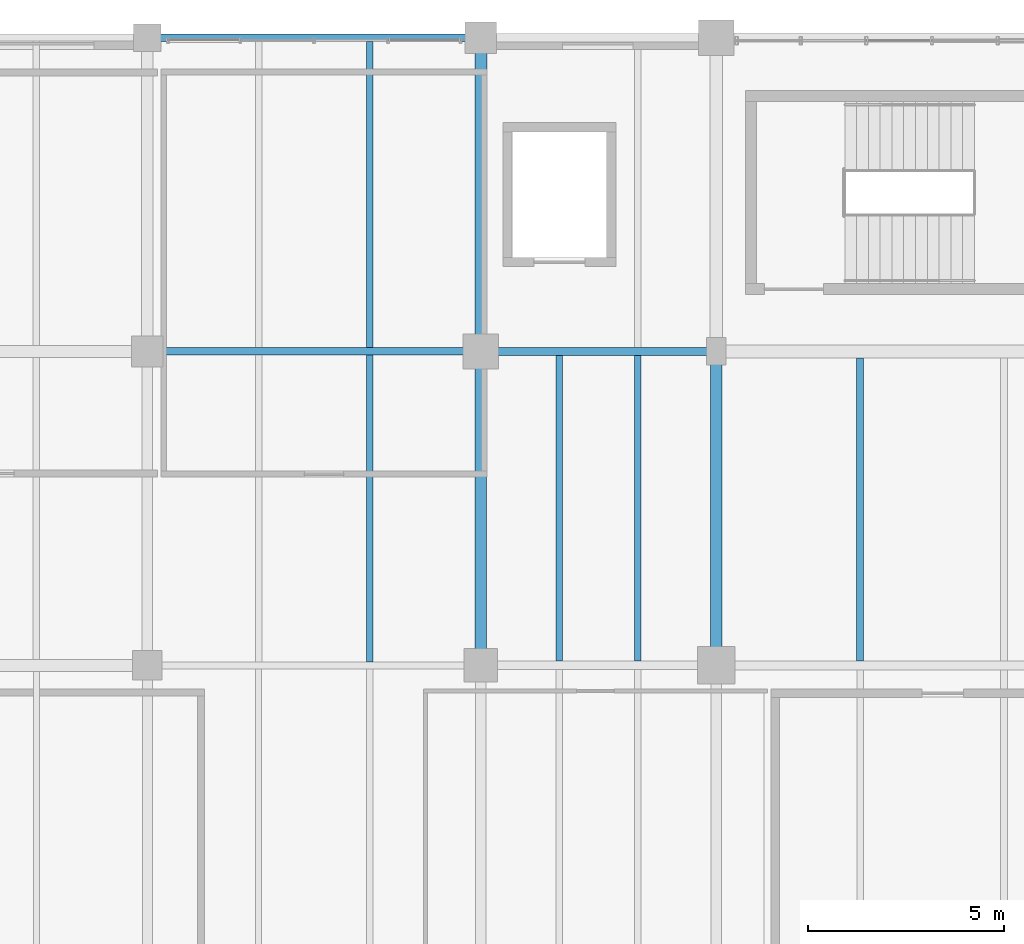
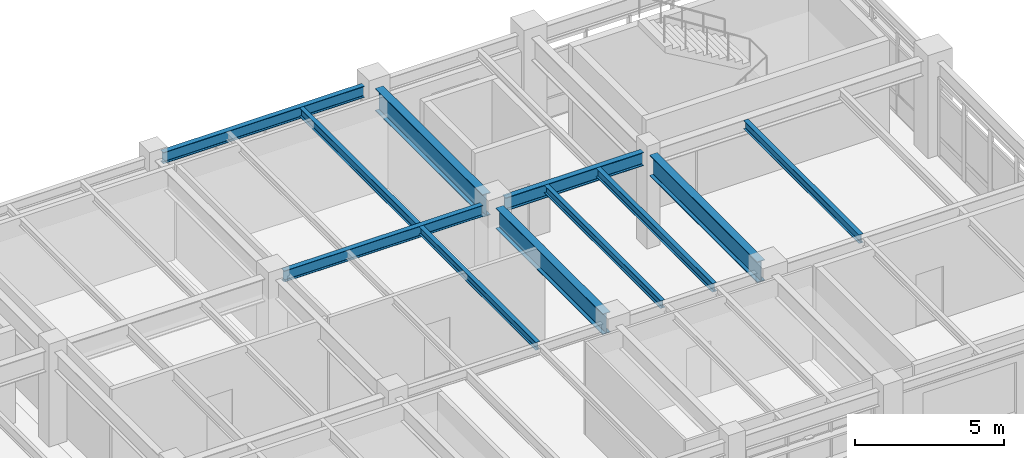
# One storey, part 37 of 56: 11 beams.
"""IFC4 building model written with IfcOpenShell, lengths in metres."""

import ifcopenshell
import ifcopenshell.guid

model = None  # the IFC model being written
_history = None  # IfcOwnerHistory: only IFC2X3 demands one
_inside = {}  # id of a spatial element -> (the spatial element, [elements in it])
_under = {}  # id of a project, library or spatial element -> (it, [spatial elements below it])
_declared = {}  # id of a project -> (the project, [libraries it declares])
_typed = {}  # id of a type object -> (the type object, [elements of that type])
_made_of = {}  # id of a material, layer set ... -> (it, [elements and type objects made of it])


def new_model(schema):
    """Start an empty IFC model of exactly this schema.

    Asked for "IFC4X3", IfcOpenShell would pick the latest addendum, in which some entities
    have other attributes; the version numbers below select the first issue.
    IFC2X3 requires an IfcOwnerHistory on every rooted entity: one is made here for all.
    """
    global model, _history
    if schema == "IFC4X3":
        model = ifcopenshell.file(schema_version=(4, 3, 0, 0))
    else:
        model = ifcopenshell.file(schema=schema)
    _inside.clear()
    _under.clear()
    _declared.clear()
    _typed.clear()
    _made_of.clear()
    _history = None
    if model.schema == "IFC2X3":
        org = make("IfcOrganization", Name="unknown")
        user = make(
            "IfcPersonAndOrganization",
            ThePerson=make("IfcPerson", FamilyName="unknown"),
            TheOrganization=org,
        )
        app = make(
            "IfcApplication",
            ApplicationDeveloper=org,
            Version="unknown",
            ApplicationFullName="unknown",
            ApplicationIdentifier="unknown",
        )
        _history = make(
            "IfcOwnerHistory",
            OwningUser=user,
            OwningApplication=app,
            ChangeAction="ADDED",
            CreationDate=0,
        )
    return model


def make(cls, **values):
    """One entity of the class cls with the attributes given. An attribute that is None is left unset."""
    return model.create_entity(
        cls, **{name: value for name, value in values.items() if value is not None}
    )


def rooted(cls, **values):
    """An entity with a GlobalId (a new one), such as an element, a storey or a relation."""
    return make(cls, GlobalId=ifcopenshell.guid.new(), OwnerHistory=_history, **values)


def si_unit(unit_type, name, prefix=None):
    """IfcSIUnit, for example si_unit("LENGTHUNIT", "METRE", prefix="MILLI")."""
    return make("IfcSIUnit", UnitType=unit_type, Prefix=prefix, Name=name)


def assignment(units):
    """IfcUnitAssignment: the units of a project."""
    return None if units is None else make("IfcUnitAssignment", Units=units)


def point(xyz):
    """IfcCartesianPoint."""
    return None if xyz is None else make("IfcCartesianPoint", Coordinates=xyz)


def direction(xyz):
    """IfcDirection."""
    return None if xyz is None else make("IfcDirection", DirectionRatios=xyz)


def frame(location, z_axis=None, x_axis=None):
    """IfcAxis2Placement3D, a coordinate frame: its origin and axes. An axis left out is left unset."""
    return make(
        "IfcAxis2Placement3D",
        Location=point(location),
        Axis=direction(z_axis),
        RefDirection=direction(x_axis),
    )


def frame_2d(location, x_axis=None):
    """IfcAxis2Placement2D, a coordinate frame in the plane: its origin and x axis."""
    return make(
        "IfcAxis2Placement2D", Location=point(location), RefDirection=direction(x_axis)
    )


def origin():
    """The frame at (0, 0, 0) with its axes left unset."""
    return frame((0.0, 0.0, 0.0))


def origin_2d():
    """The frame at (0, 0) in the plane with its x axis left unset."""
    return frame_2d((0.0, 0.0))


def place(relative_to, where):
    """IfcLocalPlacement: puts the frame where relative to a parent placement (None: the world)."""
    return make(
        "IfcLocalPlacement", PlacementRelTo=relative_to, RelativePlacement=where
    )


def context(
    kind, dimensions, precision=None, world=None, true_north=None, identifier=None
):
    """IfcGeometricRepresentationContext, for example the 3D "Model" context."""
    return make(
        "IfcGeometricRepresentationContext",
        ContextIdentifier=identifier,
        ContextType=kind,
        CoordinateSpaceDimension=dimensions,
        Precision=precision,
        WorldCoordinateSystem=world,
        TrueNorth=true_north,
    )


def subcontext(parent, identifier, kind, view, scale=None):
    """IfcGeometricRepresentationSubContext, for example "Body" below "Model"."""
    return make(
        "IfcGeometricRepresentationSubContext",
        ContextIdentifier=identifier,
        ContextType=kind,
        ParentContext=parent,
        TargetScale=scale,
        TargetView=view,
    )


def project(units=None, contexts=None):
    """IfcProject with its units and contexts."""
    return rooted(
        "IfcProject",
        Name="project",
        RepresentationContexts=contexts,
        UnitsInContext=assignment(units),
    )


def spatial(cls, under=None, at=None, **own):
    """A site, building, storey or space (cls), placed at a placement, below another one or the project."""
    s = rooted(cls, ObjectPlacement=at, **own)
    if under is not None:
        _under.setdefault(under.id(), (under, []))[1].append(s)
    return s


def profile(cls, at=None, kind="AREA", **sizes):
    """A parametric profile (cls). Its sizes go by their IFC names, for example OverallWidth=200.0."""
    return make(cls, ProfileType=kind, Position=at, **sizes)


def i_section(**sizes):
    """IfcIShapeProfileDef."""
    return profile("IfcIShapeProfileDef", **sizes)


def extrude(swept, where, along, depth):
    """IfcExtrudedAreaSolid: the profile swept, set in the frame where, extruded along a direction by depth."""
    return make(
        "IfcExtrudedAreaSolid",
        SweptArea=swept,
        Position=where,
        ExtrudedDirection=direction(along),
        Depth=depth,
    )


def shape(context_of_items, identifier, shape_type, items):
    """IfcShapeRepresentation: the items that make up one representation, for example the "Body"."""
    return make(
        "IfcShapeRepresentation",
        ContextOfItems=context_of_items,
        RepresentationIdentifier=identifier,
        RepresentationType=shape_type,
        Items=items,
    )


def material(Name=None, Category=None):
    """IfcMaterial."""
    return make("IfcMaterial", Name=Name, Category=Category)


def material_profile(
    of_material, cross_section, Name=None, Category=None, Priority=None
):
    """IfcMaterialProfile: a cross section and its material."""
    return make(
        "IfcMaterialProfile",
        Name=Name,
        Material=of_material,
        Profile=cross_section,
        Priority=Priority,
        Category=Category,
    )


def profile_set(profiles, Name=None, composite=None):
    """IfcMaterialProfileSet."""
    return make(
        "IfcMaterialProfileSet",
        Name=Name,
        MaterialProfiles=profiles,
        CompositeProfile=composite,
    )


def made_of(thing, what):
    """Note that an element or type object is made of a material, layer set ...; save() writes the relation."""
    if what is not None:
        _made_of.setdefault(what.id(), (what, []))[1].append(thing)
    return thing


def type_object(cls, material=None, **own):
    """A type object (cls), such as IfcWallType, which elements share."""
    return made_of(rooted(cls, **own), material)


def element(
    cls,
    number,
    at=None,
    inside=None,
    cuts=None,
    type_object=None,
    material=None,
    context=None,
    identifier="Body",
    shape_type=None,
    held_by="IfcProductDefinitionShape",
    body=None,
    shapes=None,
    **own,
):
    """One element of the class cls, such as IfcWall. Its Tag is "e" and its number.

    at: its placement. inside: the storey or other place that contains it. cuts: it is an
    opening in that element (IfcRelVoidsElement). A single representation is given by context,
    identifier, shape_type and body (its items); several are given by shapes. held_by: the class
    of the entity that holds the representations. save() writes the other relations.
    """
    e = rooted(cls, Tag="e%d" % number, ObjectPlacement=at, **own)
    if body is not None:
        shapes = [shape(context, identifier, shape_type, body)]
    if shapes is not None:
        e.Representation = make(held_by, Representations=shapes)
    if inside is not None:
        _inside.setdefault(inside.id(), (inside, []))[1].append(e)
    if cuts is not None:
        rooted(
            "IfcRelVoidsElement", RelatingBuildingElement=cuts, RelatedOpeningElement=e
        )
    if type_object is not None:
        _typed.setdefault(type_object.id(), (type_object, []))[1].append(e)
    return made_of(e, material)


def aggregate(whole, parts):
    """IfcRelAggregates: a whole, such as a stair, and the parts it consists of."""
    return rooted("IfcRelAggregates", RelatingObject=whole, RelatedObjects=parts)


def save(model, path):
    """Write the relations noted so far, then the file.

    IfcRelAggregates (storeys below a building ...), IfcRelContainedInSpatialStructure (elements
    in a storey), IfcRelDefinesByType, IfcRelAssociatesMaterial and IfcRelDeclares: one each for
    every whole, place, type object, material and project.
    """
    for whole, parts in _under.values():
        aggregate(whole, parts)
    for where, things in _inside.values():
        rooted(
            "IfcRelContainedInSpatialStructure",
            RelatedElements=things,
            RelatingStructure=where,
        )
    for kind, things in _typed.values():
        rooted("IfcRelDefinesByType", RelatedObjects=things, RelatingType=kind)
    for what, things in _made_of.values():
        rooted("IfcRelAssociatesMaterial", RelatedObjects=things, RelatingMaterial=what)
    for by, libraries in _declared.values():
        rooted("IfcRelDeclares", RelatingContext=by, RelatedDefinitions=libraries)
    model.write(path)


model = new_model("IFC4")

# Units and contexts
model_context = context("Model", 3, precision=1e-05, world=origin(), true_north=direction((0.0, 1.0)))
body_context = subcontext(model_context, "Body", "Model", "MODEL_VIEW")
ifc_project = project(units=[si_unit("LENGTHUNIT", "METRE"), si_unit("AREAUNIT", "SQUARE_METRE"), si_unit("VOLUMEUNIT", "CUBIC_METRE"), si_unit("PLANEANGLEUNIT", "RADIAN"), si_unit("MASSUNIT", "GRAM", prefix="KILO"), si_unit("THERMODYNAMICTEMPERATUREUNIT", "KELVIN"), si_unit("POWERUNIT", "WATT")], contexts=[model_context])

# Site, building, storey
site_placement = place(None, origin())
site = spatial("IfcSite", under=ifc_project, at=site_placement, CompositionType="ELEMENT")
building_placement = place(site_placement, origin())
building = spatial("IfcBuilding", under=site, at=building_placement, Name="Tepalcoro Natatorium and Aquatics Centre", CompositionType="ELEMENT")
storey_placement = place(building_placement, frame((0.0, 0.0, 14.800048828125)))
storey = spatial("IfcBuildingStorey", under=building, at=storey_placement, Name="L03", CompositionType="ELEMENT", Elevation=14.800048828125)

# Beams
ifc_material = material(Name="Steel ASTM A992 Grade 50 (Fy 345 MPa)", Category="steel")
ifc_material_profile_1 = material_profile(ifc_material, i_section(OverallWidth=0.19091796875, OverallDepth=0.45703125, WebThickness=0.009033203125, FlangeThickness=0.013916015625, FilletRadius=0.013916015625, at=origin_2d()), Name="W18X50")
ifc_profile_set_1 = profile_set([ifc_material_profile_1], Name="Steel ASTM A992 Grade 50 (Fy 345 MPa)")
beam_type_1 = type_object("IfcBeamType", Name="BM_W18x50", PredefinedType="BEAM", material=ifc_profile_set_1)
beam_1_placement = place(storey_placement, frame((150.885009765625, 110.0, 3.576416015625), z_axis=(1.0, 0.0, 0.0), x_axis=(0.0, 1.0, 0.0)))
element("IfcBeam", 1, at=beam_1_placement, inside=storey, type_object=beam_type_1, Name="V5 L03 Grid Girder X", PredefinedType="BEAM", context=body_context, shape_type="SweptSolid", body=[
    extrude(i_section(OverallWidth=0.19091796875, OverallDepth=0.45703125, WebThickness=0.009033203125, FlangeThickness=0.013916015625, FilletRadius=0.013916015625, at=origin_2d()), origin(), (0.0, 0.0, 1.0), 7.679931640625),
])
ifc_material_profile_2 = material_profile(ifc_material, i_section(OverallWidth=0.2119140625, OverallDepth=0.5439453125, WebThickness=0.012939453125, FlangeThickness=0.02099609375, FilletRadius=0.013916015625, at=origin_2d()), Name="W21X83")
ifc_profile_set_2 = profile_set([ifc_material_profile_2], Name="Steel ASTM A992 Grade 50 (Fy 345 MPa)")
beam_type_2 = type_object("IfcBeamType", Name="BM_W21x83", PredefinedType="BEAM", material=ifc_profile_set_2)
beam_2_placement = place(storey_placement, frame((159.43505859375, 110.0, 3.532958984375), z_axis=(1.0, 0.0, 0.0), x_axis=(0.0, 1.0, 0.0)))
element("IfcBeam", 2, at=beam_2_placement, inside=storey, type_object=beam_type_2, Name="V5 L03 Grid Girder X", PredefinedType="BEAM", context=body_context, shape_type="SweptSolid", body=[
    extrude(i_section(OverallWidth=0.2119140625, OverallDepth=0.5439453125, WebThickness=0.012939453125, FlangeThickness=0.02099609375, FilletRadius=0.013916015625, at=origin_2d()), origin(), (0.0, 0.0, 1.0), 5.329833984375),
])
ifc_material_profile_3 = material_profile(ifc_material, i_section(OverallWidth=0.2919921875, OverallDepth=0.845947265625, WebThickness=0.014892578125, FlangeThickness=0.02392578125, FilletRadius=0.013916015625, at=origin_2d()), Name="W33X141")
ifc_profile_set_3 = profile_set([ifc_material_profile_3], Name="Steel ASTM A992 Grade 50 (Fy 345 MPa)")
beam_type_3 = type_object("IfcBeamType", Name="BM_W33x141", PredefinedType="BEAM", material=ifc_profile_set_3)
beam_3_placement = place(storey_placement, frame((159.0, 102.409912109375, 3.3818359375), z_axis=(0.0, 1.0, 0.0), x_axis=(-1.0, 0.0, 0.0)))
element("IfcBeam", 3, at=beam_3_placement, inside=storey, type_object=beam_type_3, Name="V5 L03 Grid Girder Y", PredefinedType="BEAM", context=body_context, shape_type="SweptSolid", body=[
    extrude(i_section(OverallWidth=0.2919921875, OverallDepth=0.845947265625, WebThickness=0.014892578125, FlangeThickness=0.02392578125, FilletRadius=0.013916015625, at=origin_2d()), origin(), (0.0, 0.0, 1.0), 7.155029296875),
])
ifc_material_profile_4 = material_profile(ifc_material, i_section(OverallWidth=0.2919921875, OverallDepth=0.85888671875, WebThickness=0.01708984375, FlangeThickness=0.031005859375, FilletRadius=0.013916015625, at=origin_2d()), Name="W33X169")
ifc_profile_set_4 = profile_set([ifc_material_profile_4], Name="Steel ASTM A992 Grade 50 (Fy 345 MPa)")
beam_type_4 = type_object("IfcBeamType", Name="BM_W33x169", PredefinedType="BEAM", material=ifc_profile_set_4)
beam_4_placement = place(storey_placement, frame((165.0, 102.4599609375, 3.37548828125), z_axis=(0.0, 1.0, 0.0), x_axis=(-1.0, 0.0, 0.0)))
element("IfcBeam", 4, at=beam_4_placement, inside=storey, type_object=beam_type_4, Name="V5 L03 Grid Girder Y", PredefinedType="BEAM", context=body_context, shape_type="SweptSolid", body=[
    extrude(i_section(OverallWidth=0.2919921875, OverallDepth=0.85888671875, WebThickness=0.01708984375, FlangeThickness=0.031005859375, FilletRadius=0.013916015625, at=origin_2d()), origin(), (0.0, 0.0, 1.0), 7.205078125),
])
ifc_material_profile_5 = material_profile(ifc_material, i_section(OverallWidth=0.304931640625, OverallDepth=0.9189453125, WebThickness=0.01708984375, FlangeThickness=0.028076171875, FilletRadius=0.013916015625, at=origin_2d()), Name="W36X170")
ifc_profile_set_5 = profile_set([ifc_material_profile_5], Name="Steel ASTM A992 Grade 50 (Fy 345 MPa)")
beam_type_5 = type_object("IfcBeamType", Name="BM_W36x170", PredefinedType="BEAM", material=ifc_profile_set_5)
beam_5_placement = place(storey_placement, frame((159.0, 110.43505859375, 3.345458984375), z_axis=(0.0, 1.0, 0.0), x_axis=(-1.0, 0.0, 0.0)))
element("IfcBeam", 5, at=beam_5_placement, inside=storey, type_object=beam_type_5, Name="V5 L03 Grid Girder Y", PredefinedType="BEAM", context=body_context, shape_type="SweptSolid", body=[
    extrude(i_section(OverallWidth=0.304931640625, OverallDepth=0.9189453125, WebThickness=0.01708984375, FlangeThickness=0.028076171875, FilletRadius=0.013916015625, at=origin_2d()), origin(), (0.0, 0.0, 1.0), 7.179931640625),
])
ifc_material_profile_6 = material_profile(ifc_material, i_section(OverallWidth=0.1669921875, OverallDepth=0.318115234375, WebThickness=0.008056640625, FlangeThickness=0.012939453125, FilletRadius=0.013916015625, at=origin_2d()), Name="W12X35")
ifc_profile_set_6 = profile_set([ifc_material_profile_6], Name="Steel ASTM A992 Grade 50 (Fy 345 MPa)")
beam_type_6 = type_object("IfcBeamType", Name="JS_W12x35", PredefinedType="JOIST", material=ifc_profile_set_6)
beam_6_placement = place(storey_placement, frame((156.166748046875, 102.089111328125, 3.64599609375), z_axis=(0.0, 1.0, 0.0), x_axis=(-1.0, 0.0, 0.0)))
element("IfcBeam", 6, at=beam_6_placement, inside=storey, type_object=beam_type_6, Name="V5 L03 Floor Joist", PredefinedType="JOIST", context=body_context, shape_type="SweptSolid", body=[
    extrude(i_section(OverallWidth=0.1669921875, OverallDepth=0.318115234375, WebThickness=0.008056640625, FlangeThickness=0.012939453125, FilletRadius=0.013916015625, at=origin_2d()), origin(), (0.0, 0.0, 1.0), 7.8154296875),
])
beam_7_placement = place(storey_placement, frame((161.0, 102.10498046875, 3.64599609375), z_axis=(0.0, 1.0, 0.0), x_axis=(-1.0, 0.0, 0.0)))
element("IfcBeam", 7, at=beam_7_placement, inside=storey, type_object=beam_type_6, Name="V5 L03 Floor Joist", PredefinedType="JOIST", context=body_context, shape_type="SweptSolid", body=[
    extrude(i_section(OverallWidth=0.1669921875, OverallDepth=0.318115234375, WebThickness=0.008056640625, FlangeThickness=0.012939453125, FilletRadius=0.013916015625, at=origin_2d()), origin(), (0.0, 0.0, 1.0), 7.7890625),
])
ifc_material_profile_7 = material_profile(ifc_material, i_section(OverallWidth=0.1708984375, OverallDepth=0.35107421875, WebThickness=0.007080078125, FlangeThickness=0.010009765625, FilletRadius=0.013916015625, at=origin_2d()), Name="W14X30")
ifc_profile_set_7 = profile_set([ifc_material_profile_7], Name="Steel ASTM A992 Grade 50 (Fy 345 MPa)")
beam_type_7 = type_object("IfcBeamType", Name="JS_W14x30", PredefinedType="JOIST", material=ifc_profile_set_7)
beam_8_placement = place(storey_placement, frame((156.166748046875, 110.095458984375, 3.62939453125), z_axis=(0.0, 1.0, 0.0), x_axis=(-1.0, 0.0, 0.0)))
element("IfcBeam", 8, at=beam_8_placement, inside=storey, type_object=beam_type_7, Name="V5 L03 Floor Joist", PredefinedType="JOIST", context=body_context, shape_type="SweptSolid", body=[
    extrude(i_section(OverallWidth=0.1708984375, OverallDepth=0.35107421875, WebThickness=0.007080078125, FlangeThickness=0.010009765625, FilletRadius=0.013916015625, at=origin_2d()), origin(), (0.0, 0.0, 1.0), 7.80908203125),
])
beam_9_placement = place(storey_placement, frame((163.0, 102.10498046875, 3.62939453125), z_axis=(0.0, 1.0, 0.0), x_axis=(-1.0, 0.0, 0.0)))
element("IfcBeam", 9, at=beam_9_placement, inside=storey, type_object=beam_type_7, Name="V5 L03 Floor Joist", PredefinedType="JOIST", context=body_context, shape_type="SweptSolid", body=[
    extrude(i_section(OverallWidth=0.1708984375, OverallDepth=0.35107421875, WebThickness=0.007080078125, FlangeThickness=0.010009765625, FilletRadius=0.013916015625, at=origin_2d()), origin(), (0.0, 0.0, 1.0), 7.7890625),
])
beam_10_placement = place(storey_placement, frame((168.666748046875, 102.114990234375, 3.62939453125), z_axis=(0.0, 1.0, 0.0), x_axis=(-1.0, 0.0, 0.0)))
element("IfcBeam", 10, at=beam_10_placement, inside=storey, type_object=beam_type_7, Name="V5 L03 Floor Joist", PredefinedType="JOIST", context=body_context, shape_type="SweptSolid", body=[
    extrude(i_section(OverallWidth=0.1708984375, OverallDepth=0.35107421875, WebThickness=0.007080078125, FlangeThickness=0.010009765625, FilletRadius=0.013916015625, at=origin_2d()), origin(), (0.0, 0.0, 1.0), 7.722412109375),
])
ifc_material_profile_8 = material_profile(ifc_material, i_section(OverallWidth=0.19091796875, OverallDepth=0.4599609375, WebThickness=0.010009765625, FlangeThickness=0.01611328125, FilletRadius=0.013916015625, at=origin_2d()), Name="W18X55")
ifc_profile_set_8 = profile_set([ifc_material_profile_8], Name="Steel ASTM A992 Grade 50 (Fy 345 MPa)")
beam_type_8 = type_object("IfcBeamType", Name="SP_W18x55", PredefinedType="SPANDREL", material=ifc_profile_set_8)
beam_11_placement = place(storey_placement, frame((150.8349609375, 118.0, 3.574951171875), z_axis=(1.0, 0.0, 0.0), x_axis=(0.0, 1.0, 0.0)))
element("IfcBeam", 11, at=beam_11_placement, inside=storey, type_object=beam_type_8, Name="V5 L03 Grid Girder X", PredefinedType="SPANDREL", context=body_context, shape_type="SweptSolid", body=[
    extrude(i_section(OverallWidth=0.19091796875, OverallDepth=0.4599609375, WebThickness=0.010009765625, FlangeThickness=0.01611328125, FilletRadius=0.013916015625, at=origin_2d()), origin(), (0.0, 0.0, 1.0), 7.780029296875),
])

save(model, "model.ifc")
